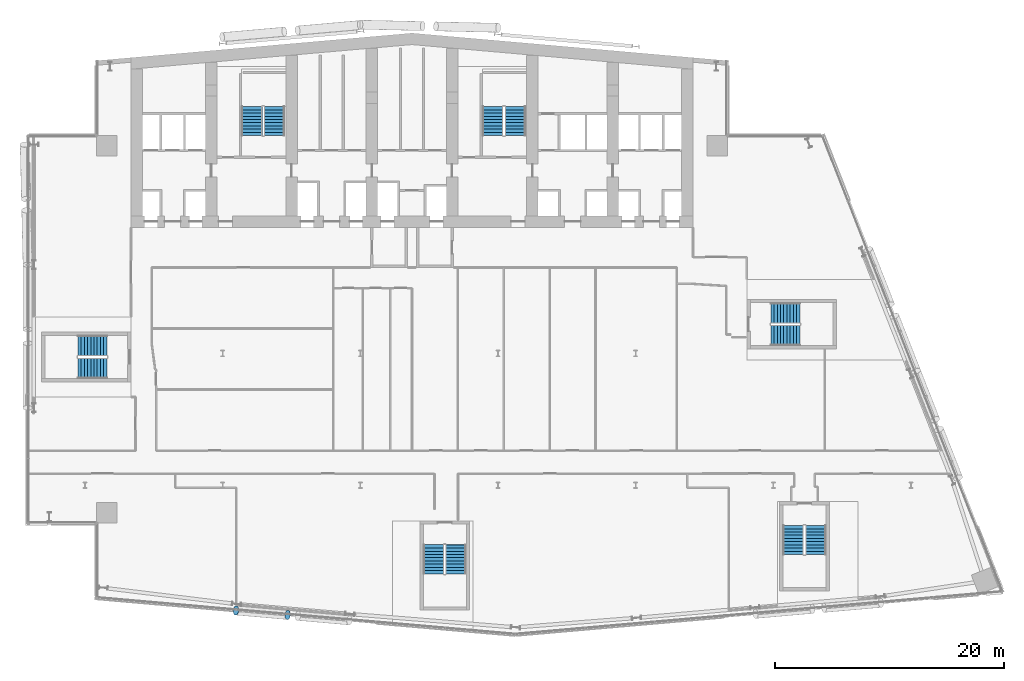
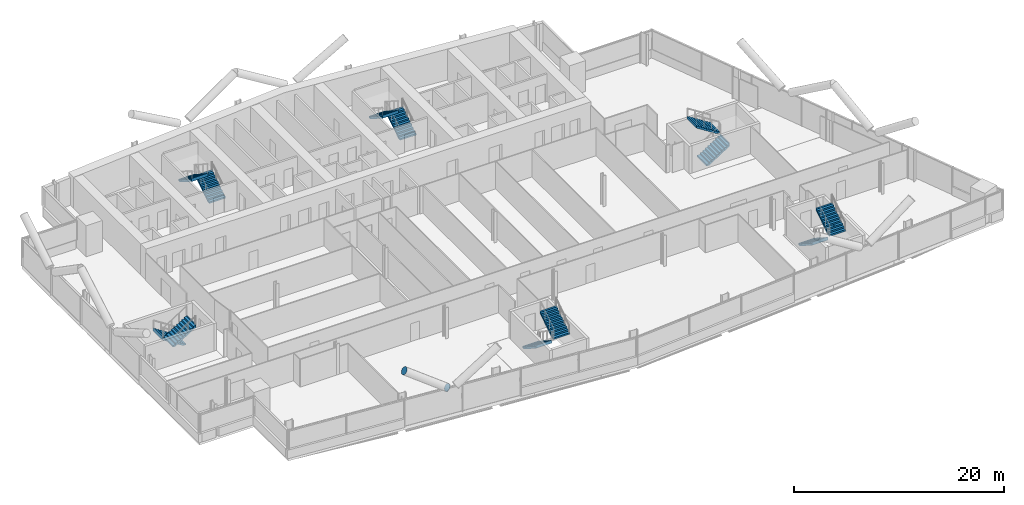
# One storey, part 20 of 27: 12 stair flights, 2 discrete accessories, 6 elements without a shape of their own.
"""IFC4 building model written with IfcOpenShell, lengths in metres."""

import ifcopenshell
import ifcopenshell.guid

model = None  # the IFC model being written
_history = None  # IfcOwnerHistory: only IFC2X3 demands one
_inside = {}  # id of a spatial element -> (the spatial element, [elements in it])
_under = {}  # id of a project, library or spatial element -> (it, [spatial elements below it])
_declared = {}  # id of a project -> (the project, [libraries it declares])
_typed = {}  # id of a type object -> (the type object, [elements of that type])
_made_of = {}  # id of a material, layer set ... -> (it, [elements and type objects made of it])


def new_model(schema):
    """Start an empty IFC model of exactly this schema.

    Asked for "IFC4X3", IfcOpenShell would pick the latest addendum, in which some entities
    have other attributes; the version numbers below select the first issue.
    IFC2X3 requires an IfcOwnerHistory on every rooted entity: one is made here for all.
    """
    global model, _history
    if schema == "IFC4X3":
        model = ifcopenshell.file(schema_version=(4, 3, 0, 0))
    else:
        model = ifcopenshell.file(schema=schema)
    _inside.clear()
    _under.clear()
    _declared.clear()
    _typed.clear()
    _made_of.clear()
    _history = None
    if model.schema == "IFC2X3":
        org = make("IfcOrganization", Name="unknown")
        user = make(
            "IfcPersonAndOrganization",
            ThePerson=make("IfcPerson", FamilyName="unknown"),
            TheOrganization=org,
        )
        app = make(
            "IfcApplication",
            ApplicationDeveloper=org,
            Version="unknown",
            ApplicationFullName="unknown",
            ApplicationIdentifier="unknown",
        )
        _history = make(
            "IfcOwnerHistory",
            OwningUser=user,
            OwningApplication=app,
            ChangeAction="ADDED",
            CreationDate=0,
        )
    return model


def make(cls, **values):
    """One entity of the class cls with the attributes given. An attribute that is None is left unset."""
    return model.create_entity(
        cls, **{name: value for name, value in values.items() if value is not None}
    )


def rooted(cls, **values):
    """An entity with a GlobalId (a new one), such as an element, a storey or a relation."""
    return make(cls, GlobalId=ifcopenshell.guid.new(), OwnerHistory=_history, **values)


def si_unit(unit_type, name, prefix=None):
    """IfcSIUnit, for example si_unit("LENGTHUNIT", "METRE", prefix="MILLI")."""
    return make("IfcSIUnit", UnitType=unit_type, Prefix=prefix, Name=name)


def assignment(units):
    """IfcUnitAssignment: the units of a project."""
    return None if units is None else make("IfcUnitAssignment", Units=units)


def point(xyz):
    """IfcCartesianPoint."""
    return None if xyz is None else make("IfcCartesianPoint", Coordinates=xyz)


def direction(xyz):
    """IfcDirection."""
    return None if xyz is None else make("IfcDirection", DirectionRatios=xyz)


def frame(location, z_axis=None, x_axis=None):
    """IfcAxis2Placement3D, a coordinate frame: its origin and axes. An axis left out is left unset."""
    return make(
        "IfcAxis2Placement3D",
        Location=point(location),
        Axis=direction(z_axis),
        RefDirection=direction(x_axis),
    )


def frame_2d(location, x_axis=None):
    """IfcAxis2Placement2D, a coordinate frame in the plane: its origin and x axis."""
    return make(
        "IfcAxis2Placement2D", Location=point(location), RefDirection=direction(x_axis)
    )


def origin():
    """The frame at (0, 0, 0) with its axes left unset."""
    return frame((0.0, 0.0, 0.0))


def origin_2d():
    """The frame at (0, 0) in the plane with its x axis left unset."""
    return frame_2d((0.0, 0.0))


def place(relative_to, where):
    """IfcLocalPlacement: puts the frame where relative to a parent placement (None: the world)."""
    return make(
        "IfcLocalPlacement", PlacementRelTo=relative_to, RelativePlacement=where
    )


def context(
    kind, dimensions, precision=None, world=None, true_north=None, identifier=None
):
    """IfcGeometricRepresentationContext, for example the 3D "Model" context."""
    return make(
        "IfcGeometricRepresentationContext",
        ContextIdentifier=identifier,
        ContextType=kind,
        CoordinateSpaceDimension=dimensions,
        Precision=precision,
        WorldCoordinateSystem=world,
        TrueNorth=true_north,
    )


def subcontext(parent, identifier, kind, view, scale=None):
    """IfcGeometricRepresentationSubContext, for example "Body" below "Model"."""
    return make(
        "IfcGeometricRepresentationSubContext",
        ContextIdentifier=identifier,
        ContextType=kind,
        ParentContext=parent,
        TargetScale=scale,
        TargetView=view,
    )


def project(units=None, contexts=None):
    """IfcProject with its units and contexts."""
    return rooted(
        "IfcProject",
        Name="project",
        RepresentationContexts=contexts,
        UnitsInContext=assignment(units),
    )


def spatial(cls, under=None, at=None, **own):
    """A site, building, storey or space (cls), placed at a placement, below another one or the project."""
    s = rooted(cls, ObjectPlacement=at, **own)
    if under is not None:
        _under.setdefault(under.id(), (under, []))[1].append(s)
    return s


def polyline(points):
    """IfcPolyline through the points."""
    return make("IfcPolyline", Points=[point(p) for p in points])


def profile(cls, at=None, kind="AREA", **sizes):
    """A parametric profile (cls). Its sizes go by their IFC names, for example OverallWidth=200.0."""
    return make(cls, ProfileType=kind, Position=at, **sizes)


def circle(**sizes):
    """IfcCircleProfileDef."""
    return profile("IfcCircleProfileDef", **sizes)


def outline(outer, holes=None, kind="AREA"):
    """IfcArbitraryClosedProfileDef: a profile drawn as a closed curve; with holes, ...WithVoids."""
    if holes is None:
        return make("IfcArbitraryClosedProfileDef", ProfileType=kind, OuterCurve=outer)
    return make(
        "IfcArbitraryProfileDefWithVoids",
        ProfileType=kind,
        OuterCurve=outer,
        InnerCurves=holes,
    )


def extrude(swept, where, along, depth):
    """IfcExtrudedAreaSolid: the profile swept, set in the frame where, extruded along a direction by depth."""
    return make(
        "IfcExtrudedAreaSolid",
        SweptArea=swept,
        Position=where,
        ExtrudedDirection=direction(along),
        Depth=depth,
    )


def shape(context_of_items, identifier, shape_type, items):
    """IfcShapeRepresentation: the items that make up one representation, for example the "Body"."""
    return make(
        "IfcShapeRepresentation",
        ContextOfItems=context_of_items,
        RepresentationIdentifier=identifier,
        RepresentationType=shape_type,
        Items=items,
    )


def material(Name=None, Category=None):
    """IfcMaterial."""
    return make("IfcMaterial", Name=Name, Category=Category)


def material_profile(
    of_material, cross_section, Name=None, Category=None, Priority=None
):
    """IfcMaterialProfile: a cross section and its material."""
    return make(
        "IfcMaterialProfile",
        Name=Name,
        Material=of_material,
        Profile=cross_section,
        Priority=Priority,
        Category=Category,
    )


def profile_set(profiles, Name=None, composite=None):
    """IfcMaterialProfileSet."""
    return make(
        "IfcMaterialProfileSet",
        Name=Name,
        MaterialProfiles=profiles,
        CompositeProfile=composite,
    )


def made_of(thing, what):
    """Note that an element or type object is made of a material, layer set ...; save() writes the relation."""
    if what is not None:
        _made_of.setdefault(what.id(), (what, []))[1].append(thing)
    return thing


def type_object(cls, material=None, **own):
    """A type object (cls), such as IfcWallType, which elements share."""
    return made_of(rooted(cls, **own), material)


def element(
    cls,
    number,
    at=None,
    inside=None,
    cuts=None,
    type_object=None,
    material=None,
    context=None,
    identifier="Body",
    shape_type=None,
    held_by="IfcProductDefinitionShape",
    body=None,
    shapes=None,
    **own,
):
    """One element of the class cls, such as IfcWall. Its Tag is "e" and its number.

    at: its placement. inside: the storey or other place that contains it. cuts: it is an
    opening in that element (IfcRelVoidsElement). A single representation is given by context,
    identifier, shape_type and body (its items); several are given by shapes. held_by: the class
    of the entity that holds the representations. save() writes the other relations.
    """
    e = rooted(cls, Tag="e%d" % number, ObjectPlacement=at, **own)
    if body is not None:
        shapes = [shape(context, identifier, shape_type, body)]
    if shapes is not None:
        e.Representation = make(held_by, Representations=shapes)
    if inside is not None:
        _inside.setdefault(inside.id(), (inside, []))[1].append(e)
    if cuts is not None:
        rooted(
            "IfcRelVoidsElement", RelatingBuildingElement=cuts, RelatedOpeningElement=e
        )
    if type_object is not None:
        _typed.setdefault(type_object.id(), (type_object, []))[1].append(e)
    return made_of(e, material)


def aggregate(whole, parts):
    """IfcRelAggregates: a whole, such as a stair, and the parts it consists of."""
    return rooted("IfcRelAggregates", RelatingObject=whole, RelatedObjects=parts)


def save(model, path):
    """Write the relations noted so far, then the file.

    IfcRelAggregates (storeys below a building ...), IfcRelContainedInSpatialStructure (elements
    in a storey), IfcRelDefinesByType, IfcRelAssociatesMaterial and IfcRelDeclares: one each for
    every whole, place, type object, material and project.
    """
    for whole, parts in _under.values():
        aggregate(whole, parts)
    for where, things in _inside.values():
        rooted(
            "IfcRelContainedInSpatialStructure",
            RelatedElements=things,
            RelatingStructure=where,
        )
    for kind, things in _typed.values():
        rooted("IfcRelDefinesByType", RelatedObjects=things, RelatingType=kind)
    for what, things in _made_of.values():
        rooted("IfcRelAssociatesMaterial", RelatedObjects=things, RelatingMaterial=what)
    for by, libraries in _declared.values():
        rooted("IfcRelDeclares", RelatingContext=by, RelatedDefinitions=libraries)
    model.write(path)


model = new_model("IFC4")

# Units and contexts
model_context = context("Model", 3, precision=1e-05, world=origin(), true_north=direction((0.0, 1.0)))
body_context = subcontext(model_context, "Body", "Model", "MODEL_VIEW")
ifc_project = project(units=[si_unit("LENGTHUNIT", "METRE"), si_unit("AREAUNIT", "SQUARE_METRE"), si_unit("VOLUMEUNIT", "CUBIC_METRE"), si_unit("PLANEANGLEUNIT", "RADIAN"), si_unit("MASSUNIT", "GRAM", prefix="KILO")], contexts=[model_context])

# Site, building, storey
site_placement = place(None, origin())
site = spatial("IfcSite", under=ifc_project, at=site_placement, CompositionType="ELEMENT")
building_placement = place(site_placement, origin())
building = spatial("IfcBuilding", under=site, at=building_placement, Name="Wharfspan Tower", CompositionType="ELEMENT")
storey_placement = place(building_placement, frame((0.0, 0.0, 139.899902)))
storey = spatial("IfcBuildingStorey", under=building, at=storey_placement, Name="L33", CompositionType="ELEMENT", Elevation=139.899902)

# Stair, stair flights
ifc_material_1 = material(Name="Concrete C40/50", Category="concrete")
stair_type = type_object("IfcStairType", Name="Half-turn stair 20 risers 180 mm", PredefinedType="HALF_TURN_STAIR", material=ifc_material_1)
stair_1_placement = place(storey_placement, origin())
stair_1 = element("IfcStair", 1, at=stair_1_placement, inside=storey, type_object=stair_type, Name="L33 stair ST1", PredefinedType="HALF_TURN_STAIR")
stair_flight_type = type_object("IfcStairFlightType", Name="Stair flight 20 risers 180 mm", PredefinedType="STRAIGHT", material=ifc_material_1)
stair_flight_1_placement = place(storey_placement, frame((28.5, 42.0, 0.0), z_axis=(0.0, 0.0, 1.0), x_axis=(0.0, 1.0, 0.0)))
stair_flight_1 = element("IfcStairFlight", 2, at=stair_flight_1_placement, type_object=stair_flight_type, Name="ST1 flight 1", NumberOfRisers=10, NumberOfTreads=9, PredefinedType="STRAIGHT", RiserHeight=0.18, TreadLength=0.28, context=body_context, shape_type="SweptSolid", body=[
    extrude(outline(polyline([(-0.011963, 0.0), (-0.011963, 0.179932), (0.0, 0.179932), (0.280029, 0.179932), (0.280029, 0.360107), (0.560059, 0.360107), (0.560059, 0.540039), (0.840088, 0.540039), (0.840088, 0.719971), (1.120117, 0.719971), (1.120117, 0.899902), (1.399902, 0.899902), (1.399902, 1.080078), (1.679932, 1.080078), (1.679932, 1.26001), (1.959961, 1.26001), (1.959961, 1.439941), (2.23999, 1.439941), (2.23999, 1.620117), (2.52002, 1.620117), (2.531982, 1.800049), (2.531982, 1.441895), (0.2771, 0.0), (-0.011963, 0.0)])), frame((0.0, 0.899902, 0.0), z_axis=(0.0, -1.0, 0.0), x_axis=(1.0, 0.0, 0.0)), (0.0, 0.0, 1.0), 0.899414),
    extrude(outline(polyline([(-0.011963, 0.0), (-0.011963, 0.179932), (0.0, 0.179932), (0.280029, 0.179932), (0.280029, 0.360107), (0.560059, 0.360107), (0.560059, 0.540039), (0.840088, 0.540039), (0.840088, 0.719971), (1.120117, 0.719971), (1.120117, 0.899902), (1.399902, 0.899902), (1.399902, 1.080078), (1.679932, 1.080078), (1.679932, 1.26001), (1.959961, 1.26001), (1.959961, 1.439941), (2.23999, 1.439941), (2.23999, 1.620117), (2.52002, 1.620117), (2.531982, 1.800049), (2.531982, 1.441895), (0.2771, 0.0), (-0.011963, 0.0)])), frame((0.0, -0.000488, 0.0), z_axis=(0.0, -1.0, 0.0), x_axis=(1.0, 0.0, 0.0)), (0.0, 0.0, 1.0), 0.899414),
])
stair_flight_2_placement = place(storey_placement, frame((26.550049, 44.52002, 1.800049), z_axis=(0.0, 0.0, 1.0), x_axis=(0.0, -1.0, 0.0)))
stair_flight_2 = element("IfcStairFlight", 3, at=stair_flight_2_placement, type_object=stair_flight_type, Name="ST1 flight 2", NumberOfRisers=10, NumberOfTreads=9, PredefinedType="STRAIGHT", RiserHeight=0.18, TreadLength=0.28, context=body_context, shape_type="SweptSolid", body=[
    extrude(outline(polyline([(-0.011963, 0.0), (-0.011963, 0.179932), (0.0, 0.179932), (0.280029, 0.179932), (0.280029, 0.360107), (0.560059, 0.360107), (0.560059, 0.540039), (0.840088, 0.540039), (0.840088, 0.719971), (1.120117, 0.719971), (1.120117, 0.899902), (1.399902, 0.899902), (1.399902, 1.080078), (1.679932, 1.080078), (1.679932, 1.26001), (1.959961, 1.26001), (1.959961, 1.439941), (2.23999, 1.439941), (2.23999, 1.620117), (2.52002, 1.620117), (2.531982, 1.800049), (2.531982, 1.441895), (0.2771, 0.0), (-0.011963, 0.0)])), frame((0.0, 0.899902, 0.0), z_axis=(0.0, -1.0, 0.0), x_axis=(1.0, 0.0, 0.0)), (0.0, 0.0, 1.0), 0.899414),
    extrude(outline(polyline([(-0.011963, 0.0), (-0.011963, 0.179932), (0.0, 0.179932), (0.280029, 0.179932), (0.280029, 0.360107), (0.560059, 0.360107), (0.560059, 0.540039), (0.840088, 0.540039), (0.840088, 0.719971), (1.120117, 0.719971), (1.120117, 0.899902), (1.399902, 0.899902), (1.399902, 1.080078), (1.679932, 1.080078), (1.679932, 1.26001), (1.959961, 1.26001), (1.959961, 1.439941), (2.23999, 1.439941), (2.23999, 1.620117), (2.52002, 1.620117), (2.531982, 1.800049), (2.531982, 1.441895), (0.2771, 0.0), (-0.011963, 0.0)])), frame((0.0, -0.000488, 0.0), z_axis=(0.0, -1.0, 0.0), x_axis=(1.0, 0.0, 0.0)), (0.0, 0.0, 1.0), 0.899414),
])
aggregate(stair_1, [stair_flight_1, stair_flight_2])

stair_2_placement = place(storey_placement, origin())
stair_2 = element("IfcStair", 4, at=stair_2_placement, inside=storey, type_object=stair_type, Name="L33 stair ST2", PredefinedType="HALF_TURN_STAIR")
stair_flight_3_placement = place(storey_placement, frame((49.5, 42.0, 0.0), z_axis=(0.0, 0.0, 1.0), x_axis=(0.0, 1.0, 0.0)))
stair_flight_3 = element("IfcStairFlight", 5, at=stair_flight_3_placement, type_object=stair_flight_type, Name="ST2 flight 1", NumberOfRisers=10, NumberOfTreads=9, PredefinedType="STRAIGHT", RiserHeight=0.18, TreadLength=0.28, context=body_context, shape_type="SweptSolid", body=[
    extrude(outline(polyline([(-0.011963, 0.0), (-0.011963, 0.179932), (0.0, 0.179932), (0.280029, 0.179932), (0.280029, 0.360107), (0.560059, 0.360107), (0.560059, 0.540039), (0.840088, 0.540039), (0.840088, 0.719971), (1.120117, 0.719971), (1.120117, 0.899902), (1.399902, 0.899902), (1.399902, 1.080078), (1.679932, 1.080078), (1.679932, 1.26001), (1.959961, 1.26001), (1.959961, 1.439941), (2.23999, 1.439941), (2.23999, 1.620117), (2.52002, 1.620117), (2.531982, 1.800049), (2.531982, 1.441895), (0.2771, 0.0), (-0.011963, 0.0)])), frame((0.0, 0.899902, 0.0), z_axis=(0.0, -1.0, 0.0), x_axis=(1.0, 0.0, 0.0)), (0.0, 0.0, 1.0), 0.899414),
    extrude(outline(polyline([(-0.011963, 0.0), (-0.011963, 0.179932), (0.0, 0.179932), (0.280029, 0.179932), (0.280029, 0.360107), (0.560059, 0.360107), (0.560059, 0.540039), (0.840088, 0.540039), (0.840088, 0.719971), (1.120117, 0.719971), (1.120117, 0.899902), (1.399902, 0.899902), (1.399902, 1.080078), (1.679932, 1.080078), (1.679932, 1.26001), (1.959961, 1.26001), (1.959961, 1.439941), (2.23999, 1.439941), (2.23999, 1.620117), (2.52002, 1.620117), (2.531982, 1.800049), (2.531982, 1.441895), (0.2771, 0.0), (-0.011963, 0.0)])), frame((0.0, -0.000488, 0.0), z_axis=(0.0, -1.0, 0.0), x_axis=(1.0, 0.0, 0.0)), (0.0, 0.0, 1.0), 0.899414),
])
stair_flight_4_placement = place(storey_placement, frame((47.550049, 44.52002, 1.800049), z_axis=(0.0, 0.0, 1.0), x_axis=(0.0, -1.0, 0.0)))
stair_flight_4 = element("IfcStairFlight", 6, at=stair_flight_4_placement, type_object=stair_flight_type, Name="ST2 flight 2", NumberOfRisers=10, NumberOfTreads=9, PredefinedType="STRAIGHT", RiserHeight=0.18, TreadLength=0.28, context=body_context, shape_type="SweptSolid", body=[
    extrude(outline(polyline([(-0.011963, 0.0), (-0.011963, 0.179932), (0.0, 0.179932), (0.280029, 0.179932), (0.280029, 0.360107), (0.560059, 0.360107), (0.560059, 0.540039), (0.840088, 0.540039), (0.840088, 0.719971), (1.120117, 0.719971), (1.120117, 0.899902), (1.399902, 0.899902), (1.399902, 1.080078), (1.679932, 1.080078), (1.679932, 1.26001), (1.959961, 1.26001), (1.959961, 1.439941), (2.23999, 1.439941), (2.23999, 1.620117), (2.52002, 1.620117), (2.531982, 1.800049), (2.531982, 1.441895), (0.2771, 0.0), (-0.011963, 0.0)])), frame((0.0, 0.899902, 0.0), z_axis=(0.0, -1.0, 0.0), x_axis=(1.0, 0.0, 0.0)), (0.0, 0.0, 1.0), 0.899414),
    extrude(outline(polyline([(-0.011963, 0.0), (-0.011963, 0.179932), (0.0, 0.179932), (0.280029, 0.179932), (0.280029, 0.360107), (0.560059, 0.360107), (0.560059, 0.540039), (0.840088, 0.540039), (0.840088, 0.719971), (1.120117, 0.719971), (1.120117, 0.899902), (1.399902, 0.899902), (1.399902, 1.080078), (1.679932, 1.080078), (1.679932, 1.26001), (1.959961, 1.26001), (1.959961, 1.439941), (2.23999, 1.439941), (2.23999, 1.620117), (2.52002, 1.620117), (2.531982, 1.800049), (2.531982, 1.441895), (0.2771, 0.0), (-0.011963, 0.0)])), frame((0.0, -0.000488, 0.0), z_axis=(0.0, -1.0, 0.0), x_axis=(1.0, 0.0, 0.0)), (0.0, 0.0, 1.0), 0.899414),
])
aggregate(stair_2, [stair_flight_3, stair_flight_4])

stair_3_placement = place(storey_placement, origin())
stair_3 = element("IfcStair", 7, at=stair_3_placement, inside=storey, type_object=stair_type, Name="L33 stair ST3", PredefinedType="HALF_TURN_STAIR")
stair_flight_5_placement = place(storey_placement, frame((13.899902, 23.675049, 0.0), z_axis=(0.0, 0.0, 1.0), x_axis=(-1.0, 0.0, 0.0)))
stair_flight_5 = element("IfcStairFlight", 8, at=stair_flight_5_placement, type_object=stair_flight_type, Name="ST3 flight 1", NumberOfRisers=10, NumberOfTreads=9, PredefinedType="STRAIGHT", RiserHeight=0.18, TreadLength=0.28, context=body_context, shape_type="SweptSolid", body=[
    extrude(outline(polyline([(-0.011963, 0.0), (-0.011963, 0.179932), (0.0, 0.179932), (0.280029, 0.179932), (0.280029, 0.360107), (0.560059, 0.360107), (0.560059, 0.540039), (0.840088, 0.540039), (0.840088, 0.719971), (1.120117, 0.719971), (1.120117, 0.899902), (1.399902, 0.899902), (1.399902, 1.080078), (1.679932, 1.080078), (1.679932, 1.26001), (1.959961, 1.26001), (1.959961, 1.439941), (2.23999, 1.439941), (2.23999, 1.620117), (2.52002, 1.620117), (2.531982, 1.800049), (2.531982, 1.441895), (0.2771, 0.0), (-0.011963, 0.0)])), frame((0.0, 0.899902, 0.0), z_axis=(0.0, -1.0, 0.0), x_axis=(1.0, 0.0, 0.0)), (0.0, 0.0, 1.0), 0.899414),
    extrude(outline(polyline([(-0.011963, 0.0), (-0.011963, 0.179932), (0.0, 0.179932), (0.280029, 0.179932), (0.280029, 0.360107), (0.560059, 0.360107), (0.560059, 0.540039), (0.840088, 0.540039), (0.840088, 0.719971), (1.120117, 0.719971), (1.120117, 0.899902), (1.399902, 0.899902), (1.399902, 1.080078), (1.679932, 1.080078), (1.679932, 1.26001), (1.959961, 1.26001), (1.959961, 1.439941), (2.23999, 1.439941), (2.23999, 1.620117), (2.52002, 1.620117), (2.531982, 1.800049), (2.531982, 1.441895), (0.2771, 0.0), (-0.011963, 0.0)])), frame((0.0, -0.000488, 0.0), z_axis=(0.0, -1.0, 0.0), x_axis=(1.0, 0.0, 0.0)), (0.0, 0.0, 1.0), 0.899414),
])
stair_flight_6_placement = place(storey_placement, frame((11.379883, 21.725098, 1.800049), z_axis=(0.0, 0.0, 1.0), x_axis=(1.0, 0.0, 0.0)))
stair_flight_6 = element("IfcStairFlight", 9, at=stair_flight_6_placement, type_object=stair_flight_type, Name="ST3 flight 2", NumberOfRisers=10, NumberOfTreads=9, PredefinedType="STRAIGHT", RiserHeight=0.18, TreadLength=0.28, context=body_context, shape_type="SweptSolid", body=[
    extrude(outline(polyline([(-0.011963, 0.0), (-0.011963, 0.179932), (0.0, 0.179932), (0.280029, 0.179932), (0.280029, 0.360107), (0.560059, 0.360107), (0.560059, 0.540039), (0.840088, 0.540039), (0.840088, 0.719971), (1.120117, 0.719971), (1.120117, 0.899902), (1.399902, 0.899902), (1.399902, 1.080078), (1.679932, 1.080078), (1.679932, 1.26001), (1.959961, 1.26001), (1.959961, 1.439941), (2.23999, 1.439941), (2.23999, 1.620117), (2.52002, 1.620117), (2.531982, 1.800049), (2.531982, 1.441895), (0.2771, 0.0), (-0.011963, 0.0)])), frame((0.0, 0.899902, 0.0), z_axis=(0.0, -1.0, 0.0), x_axis=(1.0, 0.0, 0.0)), (0.0, 0.0, 1.0), 0.899414),
    extrude(outline(polyline([(-0.011963, 0.0), (-0.011963, 0.179932), (0.0, 0.179932), (0.280029, 0.179932), (0.280029, 0.360107), (0.560059, 0.360107), (0.560059, 0.540039), (0.840088, 0.540039), (0.840088, 0.719971), (1.120117, 0.719971), (1.120117, 0.899902), (1.399902, 0.899902), (1.399902, 1.080078), (1.679932, 1.080078), (1.679932, 1.26001), (1.959961, 1.26001), (1.959961, 1.439941), (2.23999, 1.439941), (2.23999, 1.620117), (2.52002, 1.620117), (2.531982, 1.800049), (2.531982, 1.441895), (0.2771, 0.0), (-0.011963, 0.0)])), frame((0.0, -0.000488, 0.0), z_axis=(0.0, -1.0, 0.0), x_axis=(1.0, 0.0, 0.0)), (0.0, 0.0, 1.0), 0.899414),
])
aggregate(stair_3, [stair_flight_5, stair_flight_6])

stair_4_placement = place(storey_placement, origin())
stair_4 = element("IfcStair", 10, at=stair_4_placement, inside=storey, type_object=stair_type, Name="L33 stair ST4", PredefinedType="HALF_TURN_STAIR")
stair_flight_7_placement = place(storey_placement, frame((42.385254, 6.316895, 0.0), z_axis=(0.0, 0.0, 1.0), x_axis=(0.0, -1.0, 0.0)))
stair_flight_7 = element("IfcStairFlight", 11, at=stair_flight_7_placement, type_object=stair_flight_type, Name="ST4 flight 1", NumberOfRisers=10, NumberOfTreads=9, PredefinedType="STRAIGHT", RiserHeight=0.18, TreadLength=0.28, context=body_context, shape_type="SweptSolid", body=[
    extrude(outline(polyline([(-0.011963, 0.0), (-0.011963, 0.179932), (0.0, 0.179932), (0.280029, 0.179932), (0.280029, 0.360107), (0.560059, 0.360107), (0.560059, 0.540039), (0.840088, 0.540039), (0.840088, 0.719971), (1.120117, 0.719971), (1.120117, 0.899902), (1.399902, 0.899902), (1.399902, 1.080078), (1.679932, 1.080078), (1.679932, 1.26001), (1.959961, 1.26001), (1.959961, 1.439941), (2.23999, 1.439941), (2.23999, 1.620117), (2.52002, 1.620117), (2.531982, 1.800049), (2.531982, 1.441895), (0.2771, 0.0), (-0.011963, 0.0)])), frame((0.0, 0.899902, 0.0), z_axis=(0.0, -1.0, 0.0), x_axis=(1.0, 0.0, 0.0)), (0.0, 0.0, 1.0), 0.899414),
    extrude(outline(polyline([(-0.011963, 0.0), (-0.011963, 0.179932), (0.0, 0.179932), (0.280029, 0.179932), (0.280029, 0.360107), (0.560059, 0.360107), (0.560059, 0.540039), (0.840088, 0.540039), (0.840088, 0.719971), (1.120117, 0.719971), (1.120117, 0.899902), (1.399902, 0.899902), (1.399902, 1.080078), (1.679932, 1.080078), (1.679932, 1.26001), (1.959961, 1.26001), (1.959961, 1.439941), (2.23999, 1.439941), (2.23999, 1.620117), (2.52002, 1.620117), (2.531982, 1.800049), (2.531982, 1.441895), (0.2771, 0.0), (-0.011963, 0.0)])), frame((0.0, -0.000488, 0.0), z_axis=(0.0, -1.0, 0.0), x_axis=(1.0, 0.0, 0.0)), (0.0, 0.0, 1.0), 0.899414),
])
stair_flight_8_placement = place(storey_placement, frame((44.335205, 3.796875, 1.800049), z_axis=(0.0, 0.0, 1.0), x_axis=(0.0, 1.0, 0.0)))
stair_flight_8 = element("IfcStairFlight", 12, at=stair_flight_8_placement, type_object=stair_flight_type, Name="ST4 flight 2", NumberOfRisers=10, NumberOfTreads=9, PredefinedType="STRAIGHT", RiserHeight=0.18, TreadLength=0.28, context=body_context, shape_type="SweptSolid", body=[
    extrude(outline(polyline([(-0.011963, 0.0), (-0.011963, 0.179932), (0.0, 0.179932), (0.280029, 0.179932), (0.280029, 0.360107), (0.560059, 0.360107), (0.560059, 0.540039), (0.840088, 0.540039), (0.840088, 0.719971), (1.120117, 0.719971), (1.120117, 0.899902), (1.399902, 0.899902), (1.399902, 1.080078), (1.679932, 1.080078), (1.679932, 1.26001), (1.959961, 1.26001), (1.959961, 1.439941), (2.23999, 1.439941), (2.23999, 1.620117), (2.52002, 1.620117), (2.531982, 1.800049), (2.531982, 1.441895), (0.2771, 0.0), (-0.011963, 0.0)])), frame((0.0, 0.899902, 0.0), z_axis=(0.0, -1.0, 0.0), x_axis=(1.0, 0.0, 0.0)), (0.0, 0.0, 1.0), 0.899414),
    extrude(outline(polyline([(-0.011963, 0.0), (-0.011963, 0.179932), (0.0, 0.179932), (0.280029, 0.179932), (0.280029, 0.360107), (0.560059, 0.360107), (0.560059, 0.540039), (0.840088, 0.540039), (0.840088, 0.719971), (1.120117, 0.719971), (1.120117, 0.899902), (1.399902, 0.899902), (1.399902, 1.080078), (1.679932, 1.080078), (1.679932, 1.26001), (1.959961, 1.26001), (1.959961, 1.439941), (2.23999, 1.439941), (2.23999, 1.620117), (2.52002, 1.620117), (2.531982, 1.800049), (2.531982, 1.441895), (0.2771, 0.0), (-0.011963, 0.0)])), frame((0.0, -0.000488, 0.0), z_axis=(0.0, -1.0, 0.0), x_axis=(1.0, 0.0, 0.0)), (0.0, 0.0, 1.0), 0.899414),
])
aggregate(stair_4, [stair_flight_7, stair_flight_8])

stair_5_placement = place(storey_placement, origin())
stair_5 = element("IfcStair", 13, at=stair_5_placement, inside=storey, type_object=stair_type, Name="L33 stair ST5", PredefinedType="HALF_TURN_STAIR")
stair_flight_9_placement = place(storey_placement, frame((73.740967, 7.994629, 0.0), z_axis=(0.0, 0.0, 1.0), x_axis=(0.0, -1.0, 0.0)))
stair_flight_9 = element("IfcStairFlight", 14, at=stair_flight_9_placement, type_object=stair_flight_type, Name="ST5 flight 1", NumberOfRisers=10, NumberOfTreads=9, PredefinedType="STRAIGHT", RiserHeight=0.18, TreadLength=0.28, context=body_context, shape_type="SweptSolid", body=[
    extrude(outline(polyline([(-0.011963, 0.0), (-0.011963, 0.179932), (0.0, 0.179932), (0.280029, 0.179932), (0.280029, 0.360107), (0.560059, 0.360107), (0.560059, 0.540039), (0.840088, 0.540039), (0.840088, 0.719971), (1.120117, 0.719971), (1.120117, 0.899902), (1.399902, 0.899902), (1.399902, 1.080078), (1.679932, 1.080078), (1.679932, 1.26001), (1.959961, 1.26001), (1.959961, 1.439941), (2.23999, 1.439941), (2.23999, 1.620117), (2.52002, 1.620117), (2.531982, 1.800049), (2.531982, 1.441895), (0.2771, 0.0), (-0.011963, 0.0)])), frame((0.0, 0.899902, 0.0), z_axis=(0.0, -1.0, 0.0), x_axis=(1.0, 0.0, 0.0)), (0.0, 0.0, 1.0), 0.899414),
    extrude(outline(polyline([(-0.011963, 0.0), (-0.011963, 0.179932), (0.0, 0.179932), (0.280029, 0.179932), (0.280029, 0.360107), (0.560059, 0.360107), (0.560059, 0.540039), (0.840088, 0.540039), (0.840088, 0.719971), (1.120117, 0.719971), (1.120117, 0.899902), (1.399902, 0.899902), (1.399902, 1.080078), (1.679932, 1.080078), (1.679932, 1.26001), (1.959961, 1.26001), (1.959961, 1.439941), (2.23999, 1.439941), (2.23999, 1.620117), (2.52002, 1.620117), (2.531982, 1.800049), (2.531982, 1.441895), (0.2771, 0.0), (-0.011963, 0.0)])), frame((0.0, -0.000488, 0.0), z_axis=(0.0, -1.0, 0.0), x_axis=(1.0, 0.0, 0.0)), (0.0, 0.0, 1.0), 0.899414),
])
stair_flight_10_placement = place(storey_placement, frame((75.690918, 5.474609, 1.800049), z_axis=(0.0, 0.0, 1.0), x_axis=(0.0, 1.0, 0.0)))
stair_flight_10 = element("IfcStairFlight", 15, at=stair_flight_10_placement, type_object=stair_flight_type, Name="ST5 flight 2", NumberOfRisers=10, NumberOfTreads=9, PredefinedType="STRAIGHT", RiserHeight=0.18, TreadLength=0.28, context=body_context, shape_type="SweptSolid", body=[
    extrude(outline(polyline([(-0.011963, 0.0), (-0.011963, 0.179932), (0.0, 0.179932), (0.280029, 0.179932), (0.280029, 0.360107), (0.560059, 0.360107), (0.560059, 0.540039), (0.840088, 0.540039), (0.840088, 0.719971), (1.120117, 0.719971), (1.120117, 0.899902), (1.399902, 0.899902), (1.399902, 1.080078), (1.679932, 1.080078), (1.679932, 1.26001), (1.959961, 1.26001), (1.959961, 1.439941), (2.23999, 1.439941), (2.23999, 1.620117), (2.52002, 1.620117), (2.531982, 1.800049), (2.531982, 1.441895), (0.2771, 0.0), (-0.011963, 0.0)])), frame((0.0, 0.899902, 0.0), z_axis=(0.0, -1.0, 0.0), x_axis=(1.0, 0.0, 0.0)), (0.0, 0.0, 1.0), 0.899414),
    extrude(outline(polyline([(-0.011963, 0.0), (-0.011963, 0.179932), (0.0, 0.179932), (0.280029, 0.179932), (0.280029, 0.360107), (0.560059, 0.360107), (0.560059, 0.540039), (0.840088, 0.540039), (0.840088, 0.719971), (1.120117, 0.719971), (1.120117, 0.899902), (1.399902, 0.899902), (1.399902, 1.080078), (1.679932, 1.080078), (1.679932, 1.26001), (1.959961, 1.26001), (1.959961, 1.439941), (2.23999, 1.439941), (2.23999, 1.620117), (2.52002, 1.620117), (2.531982, 1.800049), (2.531982, 1.441895), (0.2771, 0.0), (-0.011963, 0.0)])), frame((0.0, -0.000488, 0.0), z_axis=(0.0, -1.0, 0.0), x_axis=(1.0, 0.0, 0.0)), (0.0, 0.0, 1.0), 0.899414),
])
aggregate(stair_5, [stair_flight_9, stair_flight_10])

stair_6_placement = place(storey_placement, origin())
stair_6 = element("IfcStair", 16, at=stair_6_placement, inside=storey, type_object=stair_type, Name="L33 stair ST6", PredefinedType="HALF_TURN_STAIR")
stair_flight_11_placement = place(storey_placement, frame((71.790283, 24.574951, 0.0), z_axis=(0.0, 0.0, 1.0), x_axis=(1.0, 0.0, 0.0)))
stair_flight_11 = element("IfcStairFlight", 17, at=stair_flight_11_placement, type_object=stair_flight_type, Name="ST6 flight 1", NumberOfRisers=10, NumberOfTreads=9, PredefinedType="STRAIGHT", RiserHeight=0.18, TreadLength=0.28, context=body_context, shape_type="SweptSolid", body=[
    extrude(outline(polyline([(-0.011963, 0.0), (-0.011963, 0.179932), (0.0, 0.179932), (0.280029, 0.179932), (0.280029, 0.360107), (0.560059, 0.360107), (0.560059, 0.540039), (0.840088, 0.540039), (0.840088, 0.719971), (1.120117, 0.719971), (1.120117, 0.899902), (1.399902, 0.899902), (1.399902, 1.080078), (1.679932, 1.080078), (1.679932, 1.26001), (1.959961, 1.26001), (1.959961, 1.439941), (2.23999, 1.439941), (2.23999, 1.620117), (2.52002, 1.620117), (2.531982, 1.800049), (2.531982, 1.441895), (0.2771, 0.0), (-0.011963, 0.0)])), frame((0.0, 0.899902, 0.0), z_axis=(0.0, -1.0, 0.0), x_axis=(1.0, 0.0, 0.0)), (0.0, 0.0, 1.0), 0.899414),
    extrude(outline(polyline([(-0.011963, 0.0), (-0.011963, 0.179932), (0.0, 0.179932), (0.280029, 0.179932), (0.280029, 0.360107), (0.560059, 0.360107), (0.560059, 0.540039), (0.840088, 0.540039), (0.840088, 0.719971), (1.120117, 0.719971), (1.120117, 0.899902), (1.399902, 0.899902), (1.399902, 1.080078), (1.679932, 1.080078), (1.679932, 1.26001), (1.959961, 1.26001), (1.959961, 1.439941), (2.23999, 1.439941), (2.23999, 1.620117), (2.52002, 1.620117), (2.531982, 1.800049), (2.531982, 1.441895), (0.2771, 0.0), (-0.011963, 0.0)])), frame((0.0, -0.000488, 0.0), z_axis=(0.0, -1.0, 0.0), x_axis=(1.0, 0.0, 0.0)), (0.0, 0.0, 1.0), 0.899414),
])
stair_flight_12_placement = place(storey_placement, frame((74.310303, 26.524902, 1.800049), z_axis=(0.0, 0.0, 1.0), x_axis=(-1.0, 0.0, 0.0)))
stair_flight_12 = element("IfcStairFlight", 18, at=stair_flight_12_placement, type_object=stair_flight_type, Name="ST6 flight 2", NumberOfRisers=10, NumberOfTreads=9, PredefinedType="STRAIGHT", RiserHeight=0.18, TreadLength=0.28, context=body_context, shape_type="SweptSolid", body=[
    extrude(outline(polyline([(-0.011963, 0.0), (-0.011963, 0.179932), (0.0, 0.179932), (0.280029, 0.179932), (0.280029, 0.360107), (0.560059, 0.360107), (0.560059, 0.540039), (0.840088, 0.540039), (0.840088, 0.719971), (1.120117, 0.719971), (1.120117, 0.899902), (1.399902, 0.899902), (1.399902, 1.080078), (1.679932, 1.080078), (1.679932, 1.26001), (1.959961, 1.26001), (1.959961, 1.439941), (2.23999, 1.439941), (2.23999, 1.620117), (2.52002, 1.620117), (2.531982, 1.800049), (2.531982, 1.441895), (0.2771, 0.0), (-0.011963, 0.0)])), frame((0.0, 0.899902, 0.0), z_axis=(0.0, -1.0, 0.0), x_axis=(1.0, 0.0, 0.0)), (0.0, 0.0, 1.0), 0.899414),
    extrude(outline(polyline([(-0.011963, 0.0), (-0.011963, 0.179932), (0.0, 0.179932), (0.280029, 0.179932), (0.280029, 0.360107), (0.560059, 0.360107), (0.560059, 0.540039), (0.840088, 0.540039), (0.840088, 0.719971), (1.120117, 0.719971), (1.120117, 0.899902), (1.399902, 0.899902), (1.399902, 1.080078), (1.679932, 1.080078), (1.679932, 1.26001), (1.959961, 1.26001), (1.959961, 1.439941), (2.23999, 1.439941), (2.23999, 1.620117), (2.52002, 1.620117), (2.531982, 1.800049), (2.531982, 1.441895), (0.2771, 0.0), (-0.011963, 0.0)])), frame((0.0, -0.000488, 0.0), z_axis=(0.0, -1.0, 0.0), x_axis=(1.0, 0.0, 0.0)), (0.0, 0.0, 1.0), 0.899414),
])
aggregate(stair_6, [stair_flight_11, stair_flight_12])

# Discrete accessories
ifc_material_2 = material(Name="Steel S460NH", Category="steel")
ifc_material_profile = material_profile(ifc_material_2, circle(Radius=0.406494, at=origin_2d()))
ifc_profile_set = profile_set([ifc_material_profile], Name="Steel S460NH")
discrete_accessory_type = type_object("IfcDiscreteAccessoryType", Name="End plate CHS 813x40", PredefinedType="BRACKET", material=ifc_profile_set)
for number, where, z_axis, x_axis, name in (
    (19, (29.662842, 0.202148, 3.221191), (-0.806559, 0.073324, 0.586588), (-0.090536, -0.99589, 0.0), "End plate CHS 813x40"),
    (20, (25.165283, 0.595703, 6.5), (-0.806559, 0.073324, 0.586588), (-0.090536, -0.99589, 0.0), "End plate CHS 813x40"),
):
    element("IfcDiscreteAccessory", number, at=place(storey_placement, frame(where, z_axis=z_axis, x_axis=x_axis)), inside=storey, type_object=discrete_accessory_type, Name=name, PredefinedType="BRACKET", context=body_context, shape_type="SweptSolid", body=[
        extrude(circle(Radius=0.406494, at=origin_2d()), origin(), (0.0, 0.0, 1.0), 0.01001),
    ])

save(model, "model.ifc")
